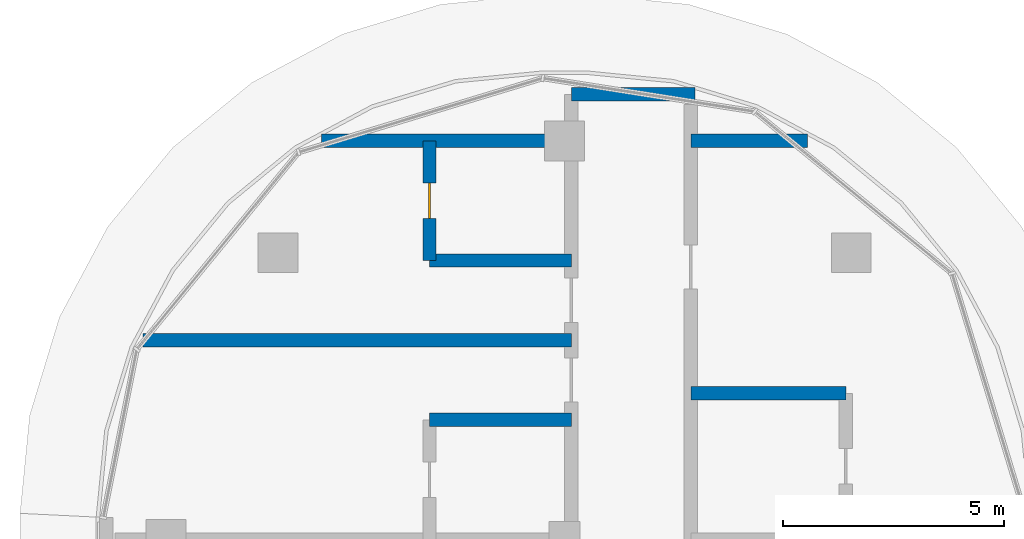
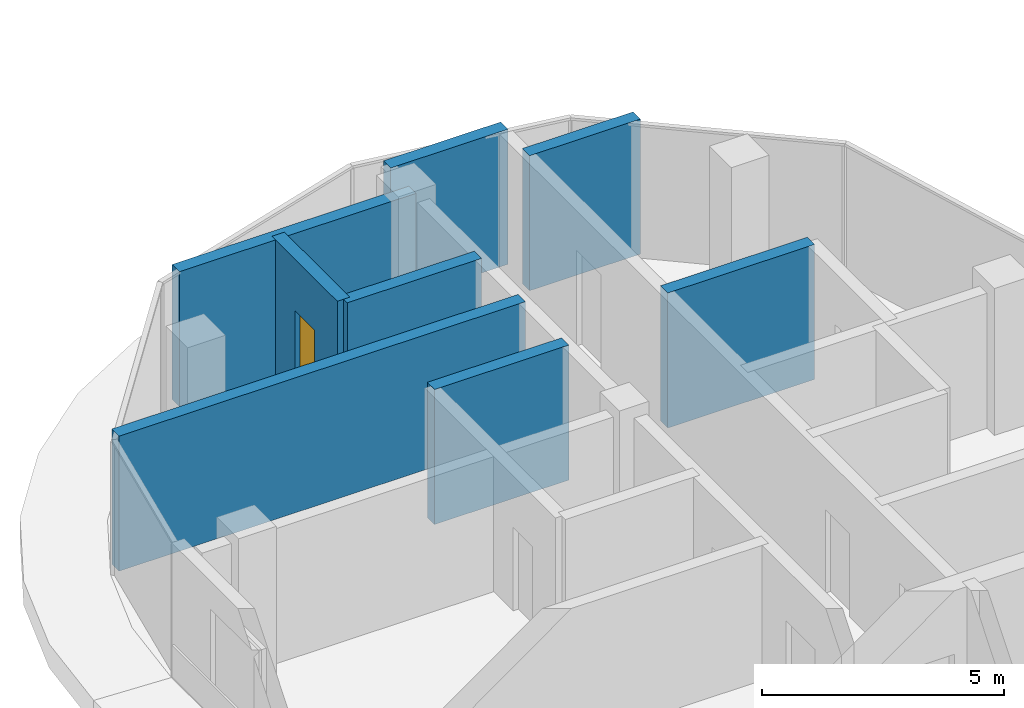
# One storey, part 13 of 21: 8 walls, 1 door, 1 opening.
"""IFC4 building model written with IfcOpenShell, lengths in metres."""

import ifcopenshell
import ifcopenshell.guid

model = None  # the IFC model being written
_history = None  # IfcOwnerHistory: only IFC2X3 demands one
_inside = {}  # id of a spatial element -> (the spatial element, [elements in it])
_under = {}  # id of a project, library or spatial element -> (it, [spatial elements below it])
_declared = {}  # id of a project -> (the project, [libraries it declares])
_typed = {}  # id of a type object -> (the type object, [elements of that type])
_made_of = {}  # id of a material, layer set ... -> (it, [elements and type objects made of it])


def new_model(schema):
    """Start an empty IFC model of exactly this schema.

    Asked for "IFC4X3", IfcOpenShell would pick the latest addendum, in which some entities
    have other attributes; the version numbers below select the first issue.
    IFC2X3 requires an IfcOwnerHistory on every rooted entity: one is made here for all.
    """
    global model, _history
    if schema == "IFC4X3":
        model = ifcopenshell.file(schema_version=(4, 3, 0, 0))
    else:
        model = ifcopenshell.file(schema=schema)
    _inside.clear()
    _under.clear()
    _declared.clear()
    _typed.clear()
    _made_of.clear()
    _history = None
    if model.schema == "IFC2X3":
        org = make("IfcOrganization", Name="unknown")
        user = make(
            "IfcPersonAndOrganization",
            ThePerson=make("IfcPerson", FamilyName="unknown"),
            TheOrganization=org,
        )
        app = make(
            "IfcApplication",
            ApplicationDeveloper=org,
            Version="unknown",
            ApplicationFullName="unknown",
            ApplicationIdentifier="unknown",
        )
        _history = make(
            "IfcOwnerHistory",
            OwningUser=user,
            OwningApplication=app,
            ChangeAction="ADDED",
            CreationDate=0,
        )
    return model


def make(cls, **values):
    """One entity of the class cls with the attributes given. An attribute that is None is left unset."""
    return model.create_entity(
        cls, **{name: value for name, value in values.items() if value is not None}
    )


def rooted(cls, **values):
    """An entity with a GlobalId (a new one), such as an element, a storey or a relation."""
    return make(cls, GlobalId=ifcopenshell.guid.new(), OwnerHistory=_history, **values)


def si_unit(unit_type, name, prefix=None):
    """IfcSIUnit, for example si_unit("LENGTHUNIT", "METRE", prefix="MILLI")."""
    return make("IfcSIUnit", UnitType=unit_type, Prefix=prefix, Name=name)


def assignment(units):
    """IfcUnitAssignment: the units of a project."""
    return None if units is None else make("IfcUnitAssignment", Units=units)


def point(xyz):
    """IfcCartesianPoint."""
    return None if xyz is None else make("IfcCartesianPoint", Coordinates=xyz)


def direction(xyz):
    """IfcDirection."""
    return None if xyz is None else make("IfcDirection", DirectionRatios=xyz)


def frame(location, z_axis=None, x_axis=None):
    """IfcAxis2Placement3D, a coordinate frame: its origin and axes. An axis left out is left unset."""
    return make(
        "IfcAxis2Placement3D",
        Location=point(location),
        Axis=direction(z_axis),
        RefDirection=direction(x_axis),
    )


def frame_2d(location, x_axis=None):
    """IfcAxis2Placement2D, a coordinate frame in the plane: its origin and x axis."""
    return make(
        "IfcAxis2Placement2D", Location=point(location), RefDirection=direction(x_axis)
    )


def origin():
    """The frame at (0, 0, 0) with its axes left unset."""
    return frame((0.0, 0.0, 0.0))


def place(relative_to, where):
    """IfcLocalPlacement: puts the frame where relative to a parent placement (None: the world)."""
    return make(
        "IfcLocalPlacement", PlacementRelTo=relative_to, RelativePlacement=where
    )


def context(
    kind, dimensions, precision=None, world=None, true_north=None, identifier=None
):
    """IfcGeometricRepresentationContext, for example the 3D "Model" context."""
    return make(
        "IfcGeometricRepresentationContext",
        ContextIdentifier=identifier,
        ContextType=kind,
        CoordinateSpaceDimension=dimensions,
        Precision=precision,
        WorldCoordinateSystem=world,
        TrueNorth=true_north,
    )


def subcontext(parent, identifier, kind, view, scale=None):
    """IfcGeometricRepresentationSubContext, for example "Body" below "Model"."""
    return make(
        "IfcGeometricRepresentationSubContext",
        ContextIdentifier=identifier,
        ContextType=kind,
        ParentContext=parent,
        TargetScale=scale,
        TargetView=view,
    )


def project(units=None, contexts=None):
    """IfcProject with its units and contexts."""
    return rooted(
        "IfcProject",
        Name="project",
        RepresentationContexts=contexts,
        UnitsInContext=assignment(units),
    )


def spatial(cls, under=None, at=None, **own):
    """A site, building, storey or space (cls), placed at a placement, below another one or the project."""
    s = rooted(cls, ObjectPlacement=at, **own)
    if under is not None:
        _under.setdefault(under.id(), (under, []))[1].append(s)
    return s


def profile(cls, at=None, kind="AREA", **sizes):
    """A parametric profile (cls). Its sizes go by their IFC names, for example OverallWidth=200.0."""
    return make(cls, ProfileType=kind, Position=at, **sizes)


def rectangle(**sizes):
    """IfcRectangleProfileDef."""
    return profile("IfcRectangleProfileDef", **sizes)


def extrude(swept, where, along, depth):
    """IfcExtrudedAreaSolid: the profile swept, set in the frame where, extruded along a direction by depth."""
    return make(
        "IfcExtrudedAreaSolid",
        SweptArea=swept,
        Position=where,
        ExtrudedDirection=direction(along),
        Depth=depth,
    )


def shape(context_of_items, identifier, shape_type, items):
    """IfcShapeRepresentation: the items that make up one representation, for example the "Body"."""
    return make(
        "IfcShapeRepresentation",
        ContextOfItems=context_of_items,
        RepresentationIdentifier=identifier,
        RepresentationType=shape_type,
        Items=items,
    )


def material(Name=None, Category=None):
    """IfcMaterial."""
    return make("IfcMaterial", Name=Name, Category=Category)


def layer(
    of_material, thickness, ventilated=None, Name=None, Category=None, Priority=None
):
    """IfcMaterialLayer: one layer of a wall or slab, of a material (None: an air gap)."""
    return make(
        "IfcMaterialLayer",
        Material=of_material,
        LayerThickness=thickness,
        IsVentilated=ventilated,
        Name=Name,
        Category=Category,
        Priority=Priority,
    )


def layer_set(layers, Name=None):
    """IfcMaterialLayerSet."""
    return make("IfcMaterialLayerSet", MaterialLayers=layers, LayerSetName=Name)


def made_of(thing, what):
    """Note that an element or type object is made of a material, layer set ...; save() writes the relation."""
    if what is not None:
        _made_of.setdefault(what.id(), (what, []))[1].append(thing)
    return thing


def type_object(cls, material=None, **own):
    """A type object (cls), such as IfcWallType, which elements share."""
    return made_of(rooted(cls, **own), material)


def element(
    cls,
    number,
    at=None,
    inside=None,
    cuts=None,
    type_object=None,
    material=None,
    context=None,
    identifier="Body",
    shape_type=None,
    held_by="IfcProductDefinitionShape",
    body=None,
    shapes=None,
    **own,
):
    """One element of the class cls, such as IfcWall. Its Tag is "e" and its number.

    at: its placement. inside: the storey or other place that contains it. cuts: it is an
    opening in that element (IfcRelVoidsElement). A single representation is given by context,
    identifier, shape_type and body (its items); several are given by shapes. held_by: the class
    of the entity that holds the representations. save() writes the other relations.
    """
    e = rooted(cls, Tag="e%d" % number, ObjectPlacement=at, **own)
    if body is not None:
        shapes = [shape(context, identifier, shape_type, body)]
    if shapes is not None:
        e.Representation = make(held_by, Representations=shapes)
    if inside is not None:
        _inside.setdefault(inside.id(), (inside, []))[1].append(e)
    if cuts is not None:
        rooted(
            "IfcRelVoidsElement", RelatingBuildingElement=cuts, RelatedOpeningElement=e
        )
    if type_object is not None:
        _typed.setdefault(type_object.id(), (type_object, []))[1].append(e)
    return made_of(e, material)


def fill(opening, filler):
    """IfcRelFillsElement: the door or window that sits in an opening."""
    return rooted(
        "IfcRelFillsElement",
        RelatingOpeningElement=opening,
        RelatedBuildingElement=filler,
    )


def aggregate(whole, parts):
    """IfcRelAggregates: a whole, such as a stair, and the parts it consists of."""
    return rooted("IfcRelAggregates", RelatingObject=whole, RelatedObjects=parts)


def save(model, path):
    """Write the relations noted so far, then the file.

    IfcRelAggregates (storeys below a building ...), IfcRelContainedInSpatialStructure (elements
    in a storey), IfcRelDefinesByType, IfcRelAssociatesMaterial and IfcRelDeclares: one each for
    every whole, place, type object, material and project.
    """
    for whole, parts in _under.values():
        aggregate(whole, parts)
    for where, things in _inside.values():
        rooted(
            "IfcRelContainedInSpatialStructure",
            RelatedElements=things,
            RelatingStructure=where,
        )
    for kind, things in _typed.values():
        rooted("IfcRelDefinesByType", RelatedObjects=things, RelatingType=kind)
    for what, things in _made_of.values():
        rooted("IfcRelAssociatesMaterial", RelatedObjects=things, RelatingMaterial=what)
    for by, libraries in _declared.values():
        rooted("IfcRelDeclares", RelatingContext=by, RelatedDefinitions=libraries)
    model.write(path)


model = new_model("IFC4")

# Units and contexts
model_context = context("Model", 3, precision=1e-05, world=origin(), true_north=direction((0.0, 1.0)))
body_context = subcontext(model_context, "Body", "Model", "MODEL_VIEW")
ifc_project = project(units=[si_unit("LENGTHUNIT", "METRE"), si_unit("AREAUNIT", "SQUARE_METRE"), si_unit("VOLUMEUNIT", "CUBIC_METRE"), si_unit("PLANEANGLEUNIT", "RADIAN"), si_unit("MASSUNIT", "GRAM", prefix="KILO")], contexts=[model_context])

# Site, building, storey
site_placement = place(None, origin())
site = spatial("IfcSite", under=ifc_project, at=site_placement, CompositionType="ELEMENT")
building_placement = place(site_placement, origin())
building = spatial("IfcBuilding", under=site, at=building_placement, Name="Ogive Portal Towers", CompositionType="ELEMENT")
storey_placement = place(building_placement, frame((0.0, 0.0, 225.39990234375)))
storey = spatial("IfcBuildingStorey", under=building, at=storey_placement, Name="L56", CompositionType="ELEMENT", Elevation=225.39990234375)

# Walls
ifc_material_1 = material(Name="Gypsum board partition on steel studs", Category="steel")
ifc_layer = layer(ifc_material_1, 0.300048828125)
ifc_layer_set = layer_set([ifc_layer], Name="WT-PART-300-EI 60")
wall_type = type_object("IfcWallType", Name="WT-PART-300-EI 60", PredefinedType="PARTITIONING", material=ifc_layer_set)
wall_1_placement = place(storey_placement, frame((37.449951171875, 51.199951171875, 0.0), z_axis=(0.0, 0.0, 1.0), x_axis=(1.0, 0.0, 0.0)))
element("IfcWall", 1, at=wall_1_placement, inside=storey, type_object=wall_type, Name="Wall L56:w021", PredefinedType="PARTITIONING", context=body_context, shape_type="SweptSolid", body=[
    extrude(rectangle(XDim=3.199951171875, YDim=0.300048828125, at=frame_2d((1.60009765625, 0.0))), origin(), (0.0, 0.0, 1.0), 3.400146484375),
])
wall_2_placement = place(storey_placement, frame((43.35009765625, 51.800048828125, 0.0), z_axis=(0.0, 0.0, 1.0), x_axis=(1.0, 0.0, 0.0)))
element("IfcWall", 2, at=wall_2_placement, inside=storey, type_object=wall_type, Name="Wall L56:w022", PredefinedType="PARTITIONING", context=body_context, shape_type="SweptSolid", body=[
    extrude(rectangle(XDim=3.5, YDim=0.300048828125, at=frame_2d((1.75, 0.0))), origin(), (0.0, 0.0, 1.0), 3.400146484375),
])
wall_3_placement = place(storey_placement, frame((30.97705078125, 53.0, 0.0), z_axis=(0.0, 0.0, 1.0), x_axis=(1.0, 0.0, 0.0)))
element("IfcWall", 3, at=wall_3_placement, inside=storey, type_object=wall_type, Name="Wall L56:w023", PredefinedType="PARTITIONING", context=body_context, shape_type="SweptSolid", body=[
    extrude(rectangle(XDim=9.6728515625, YDim=0.300048828125, at=frame_2d((4.83642578125, 0.0))), origin(), (0.0, 0.0, 1.0), 3.400146484375),
])
wall_4_placement = place(storey_placement, frame((37.449951171875, 54.800048828125, 0.0), z_axis=(0.0, 0.0, 1.0), x_axis=(1.0, 0.0, 0.0)))
element("IfcWall", 4, at=wall_4_placement, inside=storey, type_object=wall_type, Name="Wall L56:w024", PredefinedType="PARTITIONING", context=body_context, shape_type="SweptSolid", body=[
    extrude(rectangle(XDim=3.199951171875, YDim=0.300048828125, at=frame_2d((1.60009765625, 0.0))), origin(), (0.0, 0.0, 1.0), 3.400146484375),
])
wall_5_placement = place(storey_placement, frame((35.012939453125, 57.5, 0.0), z_axis=(0.0, 0.0, 1.0), x_axis=(1.0, 0.0, 0.0)))
element("IfcWall", 5, at=wall_5_placement, inside=storey, type_object=wall_type, Name="Wall L56:w025", PredefinedType="PARTITIONING", context=body_context, shape_type="SweptSolid", body=[
    extrude(rectangle(XDim=5.636962890625, YDim=0.300048828125, at=frame_2d((2.818359375, 0.0))), origin(), (0.0, 0.0, 1.0), 3.400146484375),
])
wall_6_placement = place(storey_placement, frame((43.35009765625, 57.5, 0.0), z_axis=(0.0, 0.0, 1.0), x_axis=(1.0, 0.0, 0.0)))
element("IfcWall", 6, at=wall_6_placement, inside=storey, type_object=wall_type, Name="Wall L56:w026", PredefinedType="PARTITIONING", context=body_context, shape_type="SweptSolid", body=[
    extrude(rectangle(XDim=2.636962890625, YDim=0.300048828125, at=frame_2d((1.318359375, 0.0))), origin(), (0.0, 0.0, 1.0), 3.400146484375),
])
wall_7_placement = place(storey_placement, frame((40.64990234375, 58.550048828125, 0.0), z_axis=(0.0, 0.0, 1.0), x_axis=(1.0, 0.0, 0.0)))
element("IfcWall", 7, at=wall_7_placement, inside=storey, type_object=wall_type, Name="Wall L56:w027", PredefinedType="PARTITIONING", context=body_context, shape_type="SweptSolid", body=[
    extrude(rectangle(XDim=2.796142578125, YDim=0.300048828125, at=frame_2d((1.39794921875, 0.0))), origin(), (0.0, 0.0, 1.0), 3.400146484375),
])

# Wall, opening, door
wall_8_placement = place(storey_placement, frame((37.449951171875, 54.800048828125, 0.0), z_axis=(0.0, 0.0, 1.0), x_axis=(0.0, 1.0, 0.0)))
wall_8 = element("IfcWall", 8, at=wall_8_placement, inside=storey, type_object=wall_type, Name="Wall L56:w029", PredefinedType="PARTITIONING", context=body_context, shape_type="SweptSolid", body=[
    extrude(rectangle(XDim=2.699951171875, YDim=0.300048828125, at=frame_2d((1.35009765625, 0.0))), origin(), (0.0, 0.0, 1.0), 3.400146484375),
])
opening_placement = place(wall_8_placement, frame((0.949951171875, 0.0, 0.0)))
opening = element("IfcOpeningElement", 9, at=opening_placement, cuts=wall_8, Name="Opening D25-053", PredefinedType="OPENING", context=body_context, shape_type="SweptSolid", body=[
    extrude(rectangle(XDim=0.800048828125, YDim=2.10009765625, at=frame_2d((0.39990234375, 1.050048828125))), frame((0.0, 0.16015625, 0.0), z_axis=(0.0, -1.0, 0.0), x_axis=(1.0, 0.0, 0.0)), (0.0, 0.0, 1.0), 0.320068359375),
])
ifc_material_2 = material(Name="Steel fire door", Category="steel")
door_type = type_object("IfcDoorType", Name="DT-BATH-800x2100-FD60S", OperationType="SINGLE_SWING_LEFT", PredefinedType="DOOR", material=ifc_material_2)
door_placement = place(opening_placement, origin())
door = element("IfcDoor", 10, at=door_placement, inside=storey, type_object=door_type, Name="Door D25-053", OperationType="SINGLE_SWING_LEFT", OverallHeight=2.10009765625, OverallWidth=0.800048828125, PredefinedType="DOOR", context=body_context, shape_type="SweptSolid", body=[
    extrude(rectangle(XDim=0.800048828125, YDim=2.10009765625, at=frame_2d((0.39990234375, 1.050048828125))), frame((0.0, 0.02490234375, 0.0), z_axis=(0.0, -1.0, 0.0), x_axis=(1.0, 0.0, 0.0)), (0.0, 0.0, 1.0), 0.050048828125),
])
fill(opening, door)

save(model, "model.ifc")
